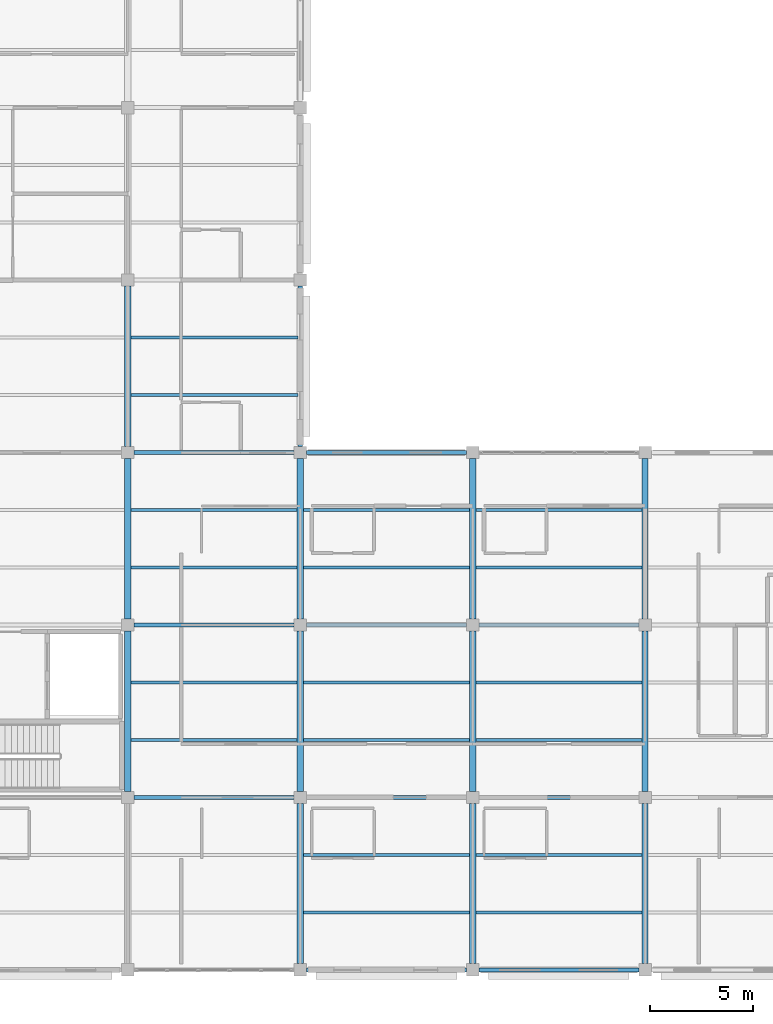
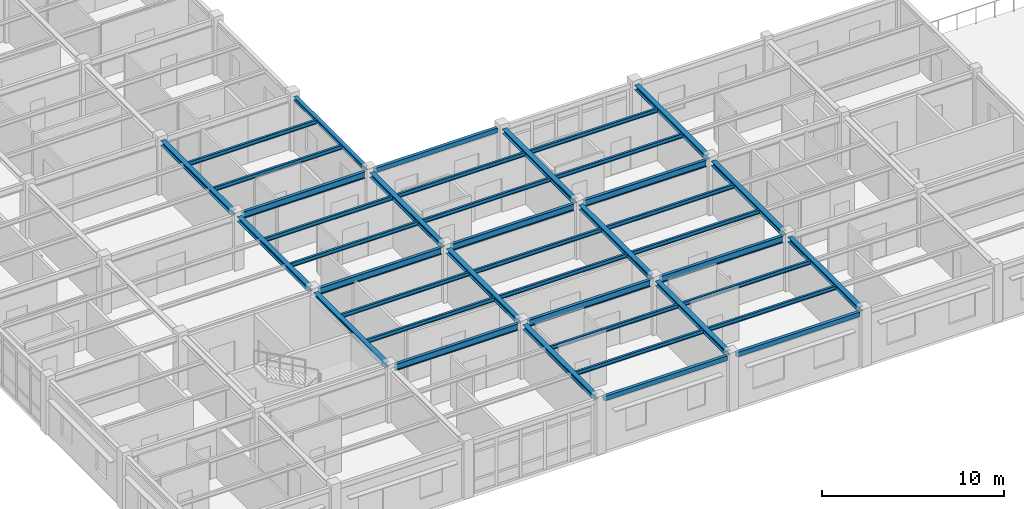
# One storey, part 7 of 70: 41 beams.
"""IFC4 building model written with IfcOpenShell, lengths in metres."""

from ifc_helpers import new_model, si_unit, direction, frame, origin, origin_2d, place, context, subcontext, project, spatial, hollow_rectangle, i_section, extrude, material, material_profile, profile_set, type_object, element, save


model = new_model("IFC4")

# Units and contexts
model_context = context("Model", 3, precision=1e-05, world=origin(), true_north=direction((0.0, 1.0)))
body_context = subcontext(model_context, "Body", "Model", "MODEL_VIEW")
ifc_project = project(units=[si_unit("LENGTHUNIT", "METRE"), si_unit("AREAUNIT", "SQUARE_METRE"), si_unit("VOLUMEUNIT", "CUBIC_METRE"), si_unit("PLANEANGLEUNIT", "RADIAN"), si_unit("MASSUNIT", "GRAM", prefix="KILO")], contexts=[model_context])

# Site, building, storey
site_placement = place(None, origin())
site = spatial("IfcSite", under=ifc_project, at=site_placement, CompositionType="ELEMENT")
building_placement = place(site_placement, origin())
building = spatial("IfcBuilding", under=site, at=building_placement, Name="Bramfleet General Hospital", CompositionType="ELEMENT")
storey_placement = place(building_placement, frame((0.0, 0.0, 22.5)))
storey = spatial("IfcBuildingStorey", under=building, at=storey_placement, Name="L05", CompositionType="ELEMENT", Elevation=22.5)

# Beams
ifc_material = material(Name="Steel S355", Category="steel")
ifc_material_profile_1 = material_profile(ifc_material, i_section(OverallWidth=0.239990234375, OverallDepth=0.22998046875, WebThickness=0.007568359375, FlangeThickness=0.011962890625, FilletRadius=0.02099609375, at=origin_2d()), Name="HEA 240")
ifc_profile_set_1 = profile_set([ifc_material_profile_1], Name="Steel S355")
beam_type_1 = type_object("IfcBeamType", Name="BM-HEA240", PredefinedType="SPANDREL", material=ifc_profile_set_1)
beam_1_placement = place(storey_placement, frame((117.60009765625, 25.5, 3.5048828125), z_axis=(0.0, 1.0, 0.0), x_axis=(-1.0, 0.0, 0.0)))
element("IfcBeam", 1, at=beam_1_placement, inside=storey, type_object=beam_type_1, Name="L05 Grid Beam Y 14-03", PredefinedType="SPANDREL", context=body_context, shape_type="SweptSolid", body=[
    extrude(i_section(OverallWidth=0.239990234375, OverallDepth=0.22998046875, WebThickness=0.007568359375, FlangeThickness=0.011962890625, FilletRadius=0.02099609375, at=origin_2d()), origin(), (0.0, 0.0, 1.0), 7.800048828125),
])
ifc_material_profile_2 = material_profile(ifc_material, i_section(OverallWidth=0.300048828125, OverallDepth=0.31005859375, WebThickness=0.009033203125, FlangeThickness=0.015380859375, FilletRadius=0.027099609375, at=origin_2d()), Name="HEA 320")
ifc_profile_set_2 = profile_set([ifc_material_profile_2], Name="Steel S355")
beam_type_2 = type_object("IfcBeamType", Name="BM-HEA320", PredefinedType="BEAM", material=ifc_profile_set_2)
beam_2_placement = place(storey_placement, frame((109.199951171875, 8.699951171875, 3.465087890625), z_axis=(0.0, 1.0, 0.0), x_axis=(-1.0, 0.0, 0.0)))
element("IfcBeam", 2, at=beam_2_placement, inside=storey, type_object=beam_type_2, Name="L05 Grid Beam Y 13-01", PredefinedType="BEAM", context=body_context, shape_type="SweptSolid", body=[
    extrude(i_section(OverallWidth=0.300048828125, OverallDepth=0.31005859375, WebThickness=0.009033203125, FlangeThickness=0.015380859375, FilletRadius=0.027099609375, at=origin_2d()), origin(), (0.0, 0.0, 1.0), 7.800048828125),
])
beam_3_placement = place(storey_placement, frame((109.199951171875, 17.10009765625, 3.465087890625), z_axis=(0.0, 1.0, 0.0), x_axis=(-1.0, 0.0, 0.0)))
element("IfcBeam", 3, at=beam_3_placement, inside=storey, type_object=beam_type_2, Name="L05 Grid Beam Y 13-02", PredefinedType="BEAM", context=body_context, shape_type="SweptSolid", body=[
    extrude(i_section(OverallWidth=0.300048828125, OverallDepth=0.31005859375, WebThickness=0.009033203125, FlangeThickness=0.015380859375, FilletRadius=0.027099609375, at=origin_2d()), origin(), (0.0, 0.0, 1.0), 7.7998046875),
])
for number, where, z_axis, x_axis, name in (
    (4, (109.199951171875, 25.5, 3.465087890625), (0.0, 1.0, 0.0), (-1.0, 0.0, 0.0), "L05 Grid Beam Y 13-03"),
    (5, (117.60009765625, 0.300048828125, 3.465087890625), (0.0, 1.0, 0.0), (-1.0, 0.0, 0.0), "L05 Grid Beam Y 14-00"),
    (6, (117.60009765625, 8.699951171875, 3.465087890625), (0.0, 1.0, 0.0), (-1.0, 0.0, 0.0), "L05 Grid Beam Y 14-01"),
):
    element("IfcBeam", number, at=place(storey_placement, frame(where, z_axis=z_axis, x_axis=x_axis)), inside=storey, type_object=beam_type_2, Name=name, PredefinedType="BEAM", context=body_context, shape_type="SweptSolid", body=[
        extrude(i_section(OverallWidth=0.300048828125, OverallDepth=0.31005859375, WebThickness=0.009033203125, FlangeThickness=0.015380859375, FilletRadius=0.027099609375, at=origin_2d()), origin(), (0.0, 0.0, 1.0), 7.800048828125),
    ])
beam_4_placement = place(storey_placement, frame((117.60009765625, 17.10009765625, 3.465087890625), z_axis=(0.0, 1.0, 0.0), x_axis=(-1.0, 0.0, 0.0)))
element("IfcBeam", 7, at=beam_4_placement, inside=storey, type_object=beam_type_2, Name="L05 Grid Beam Y 14-02", PredefinedType="BEAM", context=body_context, shape_type="SweptSolid", body=[
    extrude(i_section(OverallWidth=0.300048828125, OverallDepth=0.31005859375, WebThickness=0.009033203125, FlangeThickness=0.015380859375, FilletRadius=0.027099609375, at=origin_2d()), origin(), (0.0, 0.0, 1.0), 7.7998046875),
])
for number, where, z_axis, x_axis, name in (
    (8, (126.0, 0.300048828125, 3.465087890625), (0.0, 1.0, 0.0), (-1.0, 0.0, 0.0), "L05 Grid Beam Y 15-00"),
    (9, (126.0, 8.699951171875, 3.465087890625), (0.0, 1.0, 0.0), (-1.0, 0.0, 0.0), "L05 Grid Beam Y 15-01"),
):
    element("IfcBeam", number, at=place(storey_placement, frame(where, z_axis=z_axis, x_axis=x_axis)), inside=storey, type_object=beam_type_2, Name=name, PredefinedType="BEAM", context=body_context, shape_type="SweptSolid", body=[
        extrude(i_section(OverallWidth=0.300048828125, OverallDepth=0.31005859375, WebThickness=0.009033203125, FlangeThickness=0.015380859375, FilletRadius=0.027099609375, at=origin_2d()), origin(), (0.0, 0.0, 1.0), 7.800048828125),
    ])
beam_5_placement = place(storey_placement, frame((126.0, 17.10009765625, 3.465087890625), z_axis=(0.0, 1.0, 0.0), x_axis=(-1.0, 0.0, 0.0)))
element("IfcBeam", 10, at=beam_5_placement, inside=storey, type_object=beam_type_2, Name="L05 Grid Beam Y 15-02", PredefinedType="BEAM", context=body_context, shape_type="SweptSolid", body=[
    extrude(i_section(OverallWidth=0.300048828125, OverallDepth=0.31005859375, WebThickness=0.009033203125, FlangeThickness=0.015380859375, FilletRadius=0.027099609375, at=origin_2d()), origin(), (0.0, 0.0, 1.0), 7.7998046875),
])
for number, where, z_axis, x_axis, name in (
    (11, (134.39990234375, 0.300048828125, 3.465087890625), (0.0, 1.0, 0.0), (-1.0, 0.0, 0.0), "L05 Grid Beam Y 16-00"),
    (12, (134.39990234375, 8.699951171875, 3.465087890625), (0.0, 1.0, 0.0), (-1.0, 0.0, 0.0), "L05 Grid Beam Y 16-01"),
):
    element("IfcBeam", number, at=place(storey_placement, frame(where, z_axis=z_axis, x_axis=x_axis)), inside=storey, type_object=beam_type_2, Name=name, PredefinedType="BEAM", context=body_context, shape_type="SweptSolid", body=[
        extrude(i_section(OverallWidth=0.300048828125, OverallDepth=0.31005859375, WebThickness=0.009033203125, FlangeThickness=0.015380859375, FilletRadius=0.027099609375, at=origin_2d()), origin(), (0.0, 0.0, 1.0), 7.800048828125),
    ])
beam_6_placement = place(storey_placement, frame((134.39990234375, 17.10009765625, 3.465087890625), z_axis=(0.0, 1.0, 0.0), x_axis=(-1.0, 0.0, 0.0)))
element("IfcBeam", 13, at=beam_6_placement, inside=storey, type_object=beam_type_2, Name="L05 Grid Beam Y 16-02", PredefinedType="BEAM", context=body_context, shape_type="SweptSolid", body=[
    extrude(i_section(OverallWidth=0.300048828125, OverallDepth=0.31005859375, WebThickness=0.009033203125, FlangeThickness=0.015380859375, FilletRadius=0.027099609375, at=origin_2d()), origin(), (0.0, 0.0, 1.0), 7.7998046875),
])
ifc_material_profile_3 = material_profile(ifc_material, i_section(OverallWidth=0.135009765625, OverallDepth=0.27001953125, WebThickness=0.006591796875, FlangeThickness=0.01025390625, FilletRadius=0.014892578125, at=origin_2d()), Name="IPE 270")
ifc_profile_set_3 = profile_set([ifc_material_profile_3], Name="Steel S355")
beam_type_3 = type_object("IfcBeamType", Name="BM-IPE270", PredefinedType="JOIST", material=ifc_profile_set_3)
for number, where, z_axis, x_axis, name in (
    (14, (109.35009765625, 11.199951171875, 3.485107421875), (1.0, 0.0, 0.0), (0.0, 1.0, 0.0), "L05 Secondary Joist 13-01-1"),
    (15, (109.35009765625, 14.0, 3.485107421875), (1.0, 0.0, 0.0), (0.0, 1.0, 0.0), "L05 Secondary Joist 13-01-2"),
    (16, (109.35009765625, 19.60009765625, 3.485107421875), (1.0, 0.0, 0.0), (0.0, 1.0, 0.0), "L05 Secondary Joist 13-02-1"),
    (17, (109.35009765625, 22.39990234375, 3.485107421875), (1.0, 0.0, 0.0), (0.0, 1.0, 0.0), "L05 Secondary Joist 13-02-2"),
):
    element("IfcBeam", number, at=place(storey_placement, frame(where, z_axis=z_axis, x_axis=x_axis)), inside=storey, type_object=beam_type_3, Name=name, PredefinedType="JOIST", context=body_context, shape_type="SweptSolid", body=[
        extrude(i_section(OverallWidth=0.135009765625, OverallDepth=0.27001953125, WebThickness=0.006591796875, FlangeThickness=0.01025390625, FilletRadius=0.014892578125, at=origin_2d()), origin(), (0.0, 0.0, 1.0), 8.099853515625),
    ])
for number, where, z_axis, x_axis, name in (
    (18, (109.35009765625, 28.0, 3.485107421875), (1.0, 0.0, 0.0), (0.0, 1.0, 0.0), "L05 Secondary Joist 13-03-1"),
    (19, (109.35009765625, 30.800048828125, 3.485107421875), (1.0, 0.0, 0.0), (0.0, 1.0, 0.0), "L05 Secondary Joist 13-03-2"),
):
    element("IfcBeam", number, at=place(storey_placement, frame(where, z_axis=z_axis, x_axis=x_axis)), inside=storey, type_object=beam_type_3, Name=name, PredefinedType="JOIST", context=body_context, shape_type="SweptSolid", body=[
        extrude(i_section(OverallWidth=0.135009765625, OverallDepth=0.27001953125, WebThickness=0.006591796875, FlangeThickness=0.01025390625, FilletRadius=0.014892578125, at=origin_2d()), origin(), (0.0, 0.0, 1.0), 8.1298828125),
    ])
for number, where, z_axis, x_axis, name in (
    (20, (117.75, 2.800048828125, 3.485107421875), (1.0, 0.0, 0.0), (0.0, 1.0, 0.0), "L05 Secondary Joist 14-00-1"),
    (21, (117.75, 5.60009765625, 3.485107421875), (1.0, 0.0, 0.0), (0.0, 1.0, 0.0), "L05 Secondary Joist 14-00-2"),
    (22, (117.75, 11.199951171875, 3.485107421875), (1.0, 0.0, 0.0), (0.0, 1.0, 0.0), "L05 Secondary Joist 14-01-1"),
    (23, (117.75, 14.0, 3.485107421875), (1.0, 0.0, 0.0), (0.0, 1.0, 0.0), "L05 Secondary Joist 14-01-2"),
    (24, (117.75, 19.60009765625, 3.485107421875), (1.0, 0.0, 0.0), (0.0, 1.0, 0.0), "L05 Secondary Joist 14-02-1"),
    (25, (117.75, 22.39990234375, 3.485107421875), (1.0, 0.0, 0.0), (0.0, 1.0, 0.0), "L05 Secondary Joist 14-02-2"),
    (26, (126.14990234375, 2.800048828125, 3.485107421875), (1.0, 0.0, 0.0), (0.0, 1.0, 0.0), "L05 Secondary Joist 15-00-1"),
    (27, (126.14990234375, 5.60009765625, 3.485107421875), (1.0, 0.0, 0.0), (0.0, 1.0, 0.0), "L05 Secondary Joist 15-00-2"),
    (28, (126.14990234375, 11.199951171875, 3.485107421875), (1.0, 0.0, 0.0), (0.0, 1.0, 0.0), "L05 Secondary Joist 15-01-1"),
    (29, (126.14990234375, 14.0, 3.485107421875), (1.0, 0.0, 0.0), (0.0, 1.0, 0.0), "L05 Secondary Joist 15-01-2"),
    (30, (126.14990234375, 19.60009765625, 3.485107421875), (1.0, 0.0, 0.0), (0.0, 1.0, 0.0), "L05 Secondary Joist 15-02-1"),
    (31, (126.14990234375, 22.39990234375, 3.485107421875), (1.0, 0.0, 0.0), (0.0, 1.0, 0.0), "L05 Secondary Joist 15-02-2"),
):
    element("IfcBeam", number, at=place(storey_placement, frame(where, z_axis=z_axis, x_axis=x_axis)), inside=storey, type_object=beam_type_3, Name=name, PredefinedType="JOIST", context=body_context, shape_type="SweptSolid", body=[
        extrude(i_section(OverallWidth=0.135009765625, OverallDepth=0.27001953125, WebThickness=0.006591796875, FlangeThickness=0.01025390625, FilletRadius=0.014892578125, at=origin_2d()), origin(), (0.0, 0.0, 1.0), 8.10009765625),
    ])
ifc_material_profile_4 = material_profile(ifc_material, i_section(OverallWidth=0.18994140625, OverallDepth=0.449951171875, WebThickness=0.009521484375, FlangeThickness=0.0146484375, FilletRadius=0.02099609375, at=origin_2d()), Name="IPE 450")
ifc_profile_set_4 = profile_set([ifc_material_profile_4], Name="Steel S355")
beam_type_4 = type_object("IfcBeamType", Name="BM-IPE450", PredefinedType="BEAM", material=ifc_profile_set_4)
for number, where, z_axis, x_axis, name in (
    (32, (109.5, 8.39990234375, 3.39501953125), (1.0, 0.0, 0.0), (0.0, 1.0, 0.0), "L05 Grid Beam X 13-01"),
    (33, (109.5, 16.800048828125, 3.39501953125), (1.0, 0.0, 0.0), (0.0, 1.0, 0.0), "L05 Grid Beam X 13-02"),
    (34, (109.5, 25.199951171875, 3.39501953125), (1.0, 0.0, 0.0), (0.0, 1.0, 0.0), "L05 Grid Beam X 13-03"),
    (35, (117.89990234375, 8.39990234375, 3.39501953125), (1.0, 0.0, 0.0), (0.0, 1.0, 0.0), "L05 Grid Beam X 14-01"),
    (36, (117.89990234375, 16.800048828125, 3.39501953125), (1.0, 0.0, 0.0), (0.0, 1.0, 0.0), "L05 Grid Beam X 14-02"),
    (37, (126.300048828125, 8.39990234375, 3.39501953125), (1.0, 0.0, 0.0), (0.0, 1.0, 0.0), "L05 Grid Beam X 15-01"),
    (38, (126.300048828125, 16.800048828125, 3.39501953125), (1.0, 0.0, 0.0), (0.0, 1.0, 0.0), "L05 Grid Beam X 15-02"),
):
    element("IfcBeam", number, at=place(storey_placement, frame(where, z_axis=z_axis, x_axis=x_axis)), inside=storey, type_object=beam_type_4, Name=name, PredefinedType="BEAM", context=body_context, shape_type="SweptSolid", body=[
        extrude(i_section(OverallWidth=0.18994140625, OverallDepth=0.449951171875, WebThickness=0.009521484375, FlangeThickness=0.0146484375, FilletRadius=0.02099609375, at=origin_2d()), origin(), (0.0, 0.0, 1.0), 7.800048828125),
    ])
ifc_material_profile_5 = material_profile(ifc_material, hollow_rectangle(XDim=0.199951171875, YDim=0.300048828125, WallThickness=0.012451171875, at=origin_2d()), Name="RHS 300x200x12.5")
ifc_profile_set_5 = profile_set([ifc_material_profile_5], Name="Steel S355")
beam_type_5 = type_object("IfcBeamType", Name="BM-RHS300", PredefinedType="SPANDREL", material=ifc_profile_set_5)
for number, where, z_axis, x_axis, name in (
    (39, (117.89990234375, 0.0, 3.469970703125), (1.0, 0.0, 0.0), (0.0, 1.0, 0.0), "L05 Grid Beam X 14-00"),
    (40, (117.89990234375, 25.199951171875, 3.469970703125), (1.0, 0.0, 0.0), (0.0, 1.0, 0.0), "L05 Grid Beam X 14-03"),
    (41, (126.300048828125, 0.0, 3.469970703125), (1.0, 0.0, 0.0), (0.0, 1.0, 0.0), "L05 Grid Beam X 15-00"),
):
    element("IfcBeam", number, at=place(storey_placement, frame(where, z_axis=z_axis, x_axis=x_axis)), inside=storey, type_object=beam_type_5, Name=name, PredefinedType="SPANDREL", context=body_context, shape_type="SweptSolid", body=[
        extrude(hollow_rectangle(XDim=0.199951171875, YDim=0.300048828125, WallThickness=0.012451171875, at=origin_2d()), origin(), (0.0, 0.0, 1.0), 7.800048828125),
    ])

save(model, "model.ifc")
